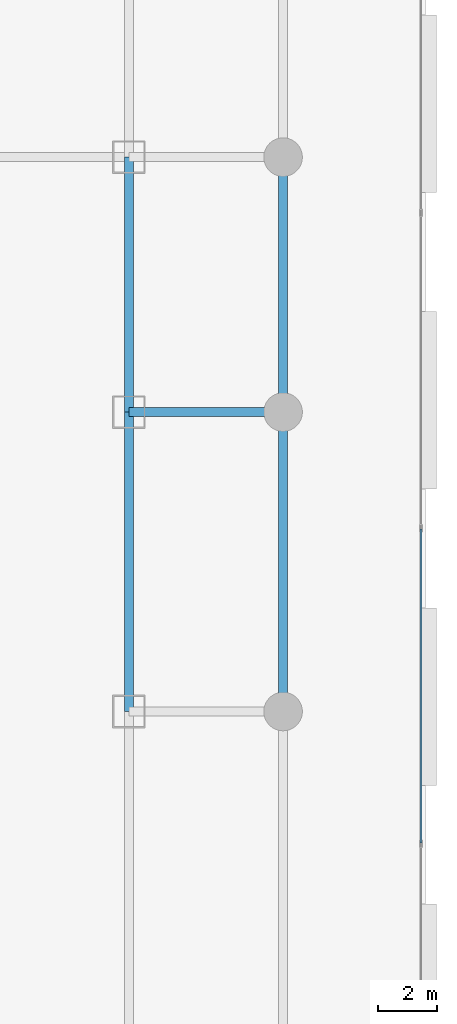
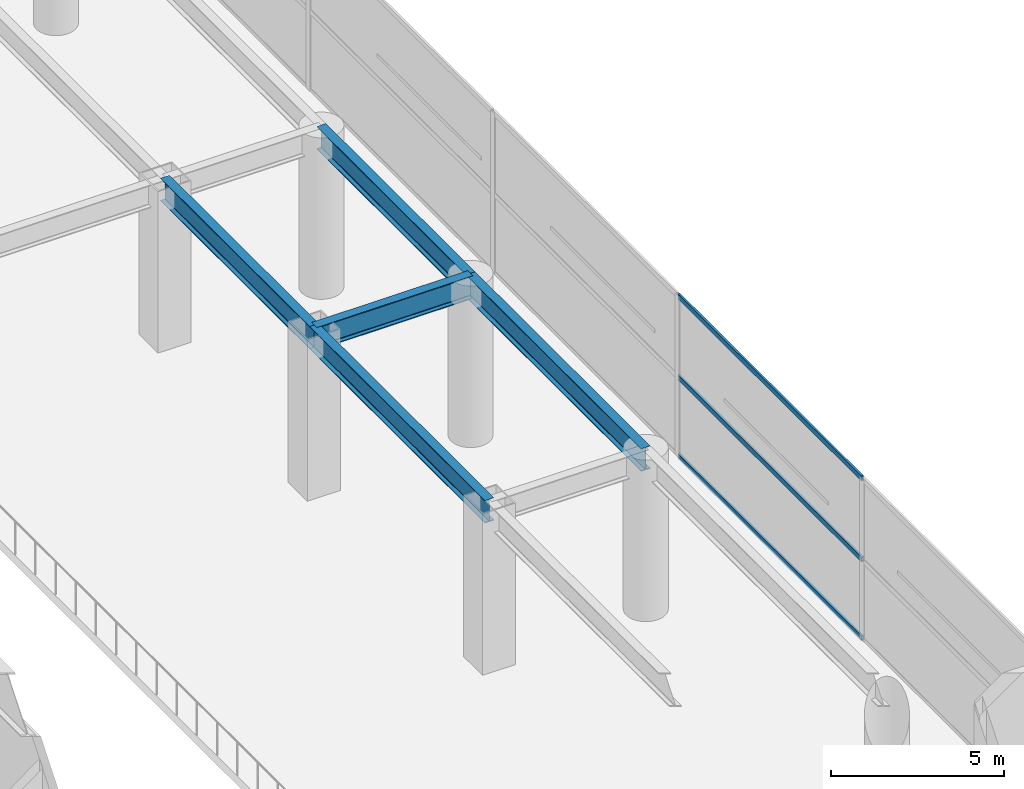
# One storey, part 5 of 20: 5 beams, 3 members, 1 element without a shape of its own.
"""IFC4 building model written with IfcOpenShell, lengths in metres."""

from ifc_helpers import new_model, si_unit, direction, frame, origin, origin_2d, place, context, subcontext, project, spatial, hollow_rectangle, i_section, extrude, material, layer, layer_set, material_profile, profile_set, type_object, element, aggregate, save


model = new_model("IFC4")

# Units and contexts
model_context = context("Model", 3, precision=1e-05, world=origin(), true_north=direction((0.0, 1.0)))
body_context = subcontext(model_context, "Body", "Model", "MODEL_VIEW")
ifc_project = project(units=[si_unit("LENGTHUNIT", "METRE"), si_unit("AREAUNIT", "SQUARE_METRE"), si_unit("VOLUMEUNIT", "CUBIC_METRE"), si_unit("PLANEANGLEUNIT", "RADIAN"), si_unit("MASSUNIT", "GRAM", prefix="KILO")], contexts=[model_context])

# Site, building, storey
site_placement = place(None, origin())
site = spatial("IfcSite", under=ifc_project, at=site_placement, CompositionType="ELEMENT")
building_placement = place(site_placement, origin())
building = spatial("IfcBuilding", under=site, at=building_placement, Name="Calvorn Quay Hotel", CompositionType="ELEMENT")
storey_placement = place(building_placement, origin())
storey = spatial("IfcBuildingStorey", under=building, at=storey_placement, Name="L00", CompositionType="ELEMENT", Elevation=0.0)

# Beams
ifc_material_1 = material(Name="Steel Q390GJC", Category="steel")
ifc_material_profile_1 = material_profile(ifc_material_1, i_section(OverallWidth=0.300048828125, OverallDepth=0.800048828125, WebThickness=0.013916015625, FlangeThickness=0.02587890625, FilletRadius=0.02392578125, at=origin_2d()), Name="HN800x300x14x26")
ifc_profile_set_1 = profile_set([ifc_material_profile_1], Name="Steel Q390GJC")
beam_type = type_object("IfcBeamType", Name="BM-GIRD-POD", PredefinedType="BEAM", material=ifc_profile_set_1)
beam_1_placement = place(storey_placement, frame((74.0, 17.5, 5.280029296875), z_axis=(0.0, 1.0, 0.0), x_axis=(-1.0, 0.0, 0.0)))
element("IfcBeam", 1, at=beam_1_placement, inside=storey, type_object=beam_type, Name="Beam BG-L00-PE2", PredefinedType="BEAM", context=body_context, shape_type="SweptSolid", body=[
    extrude(i_section(OverallWidth=0.300048828125, OverallDepth=0.800048828125, WebThickness=0.013916015625, FlangeThickness=0.02587890625, FilletRadius=0.02392578125, at=origin_2d()), origin(), (0.0, 0.0, 1.0), 10.10009765625),
])
beam_2_placement = place(storey_placement, frame((74.0, 27.60009765625, 5.280029296875), z_axis=(0.0, 1.0, 0.0), x_axis=(-1.0, 0.0, 0.0)))
element("IfcBeam", 2, at=beam_2_placement, inside=storey, type_object=beam_type, Name="Beam BG-L00-PE3", PredefinedType="BEAM", context=body_context, shape_type="SweptSolid", body=[
    extrude(i_section(OverallWidth=0.300048828125, OverallDepth=0.800048828125, WebThickness=0.013916015625, FlangeThickness=0.02587890625, FilletRadius=0.02392578125, at=origin_2d()), origin(), (0.0, 0.0, 1.0), 8.599853515625),
])
beam_3_placement = place(storey_placement, frame((79.199951171875, 17.5, 5.280029296875), z_axis=(0.0, 1.0, 0.0), x_axis=(-1.0, 0.0, 0.0)))
element("IfcBeam", 3, at=beam_3_placement, inside=storey, type_object=beam_type, Name="Beam BSP-L00-Q2", PredefinedType="BEAM", context=body_context, shape_type="SweptSolid", body=[
    extrude(i_section(OverallWidth=0.300048828125, OverallDepth=0.800048828125, WebThickness=0.013916015625, FlangeThickness=0.02587890625, FilletRadius=0.02392578125, at=origin_2d()), origin(), (0.0, 0.0, 1.0), 10.10009765625),
])
beam_4_placement = place(storey_placement, frame((79.199951171875, 27.60009765625, 5.280029296875), z_axis=(0.0, 1.0, 0.0), x_axis=(-1.0, 0.0, 0.0)))
element("IfcBeam", 4, at=beam_4_placement, inside=storey, type_object=beam_type, Name="Beam BSP-L00-Q3", PredefinedType="BEAM", context=body_context, shape_type="SweptSolid", body=[
    extrude(i_section(OverallWidth=0.300048828125, OverallDepth=0.800048828125, WebThickness=0.013916015625, FlangeThickness=0.02587890625, FilletRadius=0.02392578125, at=origin_2d()), origin(), (0.0, 0.0, 1.0), 8.599853515625),
])
beam_5_placement = place(storey_placement, frame((74.0, 27.60009765625, 5.280029296875), z_axis=(1.0, 0.0, 0.0), x_axis=(0.0, 1.0, 0.0)))
element("IfcBeam", 5, at=beam_5_placement, inside=storey, type_object=beam_type, Name="Beam BG-L00-EQ3", PredefinedType="BEAM", context=body_context, shape_type="SweptSolid", body=[
    extrude(i_section(OverallWidth=0.300048828125, OverallDepth=0.800048828125, WebThickness=0.013916015625, FlangeThickness=0.02587890625, FilletRadius=0.02392578125, at=origin_2d()), origin(), (0.0, 0.0, 1.0), 5.199951171875),
])

# Curtain wall, members
ifc_material_2 = material(Name="Pale Anodised Aluminium and Low-E Glass", Category="aluminium")
ifc_layer = layer(ifc_material_2, 0.219970703125)
ifc_layer_set = layer_set([ifc_layer], Name="CW-SYS-POD")
curtain_wall_type = type_object("IfcCurtainWallType", Name="CW-SYS-POD", PredefinedType="NOTDEFINED", material=ifc_layer_set)
curtain_wall_placement = place(storey_placement, origin())
curtain_wall = element("IfcCurtainWall", 6, at=curtain_wall_placement, inside=storey, type_object=curtain_wall_type, Name="L00 Waterfront Promenade Curtain Wall", PredefinedType="NOTDEFINED")
ifc_material_3 = material(Name="Pale Anodised Aluminium 6063-T6", Category="aluminium")
ifc_material_profile_2 = material_profile(ifc_material_3, hollow_rectangle(XDim=0.070068359375, YDim=0.179931640625, WallThickness=0.00390625, at=origin_2d()), Name="ALU-T180x70x4")
ifc_profile_set_2 = profile_set([ifc_material_profile_2], Name="Pale Anodised Aluminium 6063-T6")
member_type = type_object("IfcMemberType", Name="CW-SYS-POD-TRN", PredefinedType="USERDEFINED", material=ifc_profile_set_2)
member_1_placement = place(storey_placement, frame((83.85009765625, 13.070068359375, 0.030029296875), z_axis=(0.0, 1.0, 0.0), x_axis=(-1.0, 0.0, 0.0)))
member_1 = element("IfcMember", 7, at=member_1_placement, type_object=member_type, Name="CW-L00-E1 transom 2.1", ObjectType="TRANSOM", PredefinedType="USERDEFINED", context=body_context, shape_type="SweptSolid", body=[
    extrude(hollow_rectangle(XDim=0.070068359375, YDim=0.179931640625, WallThickness=0.00390625, at=origin_2d()), origin(), (0.0, 0.0, 1.0), 10.579833984375),
])
member_2_placement = place(storey_placement, frame((83.85009765625, 13.070068359375, 2.800048828125), z_axis=(0.0, 1.0, 0.0), x_axis=(-1.0, 0.0, 0.0)))
member_2 = element("IfcMember", 8, at=member_2_placement, type_object=member_type, Name="CW-L00-E1 transom 2.2", ObjectType="TRANSOM", PredefinedType="USERDEFINED", context=body_context, shape_type="SweptSolid", body=[
    extrude(hollow_rectangle(XDim=0.070068359375, YDim=0.179931640625, WallThickness=0.00390625, at=origin_2d()), origin(), (0.0, 0.0, 1.0), 10.579833984375),
])
member_3_placement = place(storey_placement, frame((83.85009765625, 13.070068359375, 5.64990234375), z_axis=(0.0, 1.0, 0.0), x_axis=(-1.0, 0.0, 0.0)))
member_3 = element("IfcMember", 9, at=member_3_placement, type_object=member_type, Name="CW-L00-E1 transom 2.3", ObjectType="TRANSOM", PredefinedType="USERDEFINED", context=body_context, shape_type="SweptSolid", body=[
    extrude(hollow_rectangle(XDim=0.070068359375, YDim=0.179931640625, WallThickness=0.00390625, at=origin_2d()), origin(), (0.0, 0.0, 1.0), 10.579833984375),
])
aggregate(curtain_wall, [member_1, member_2, member_3])

save(model, "model.ifc")
